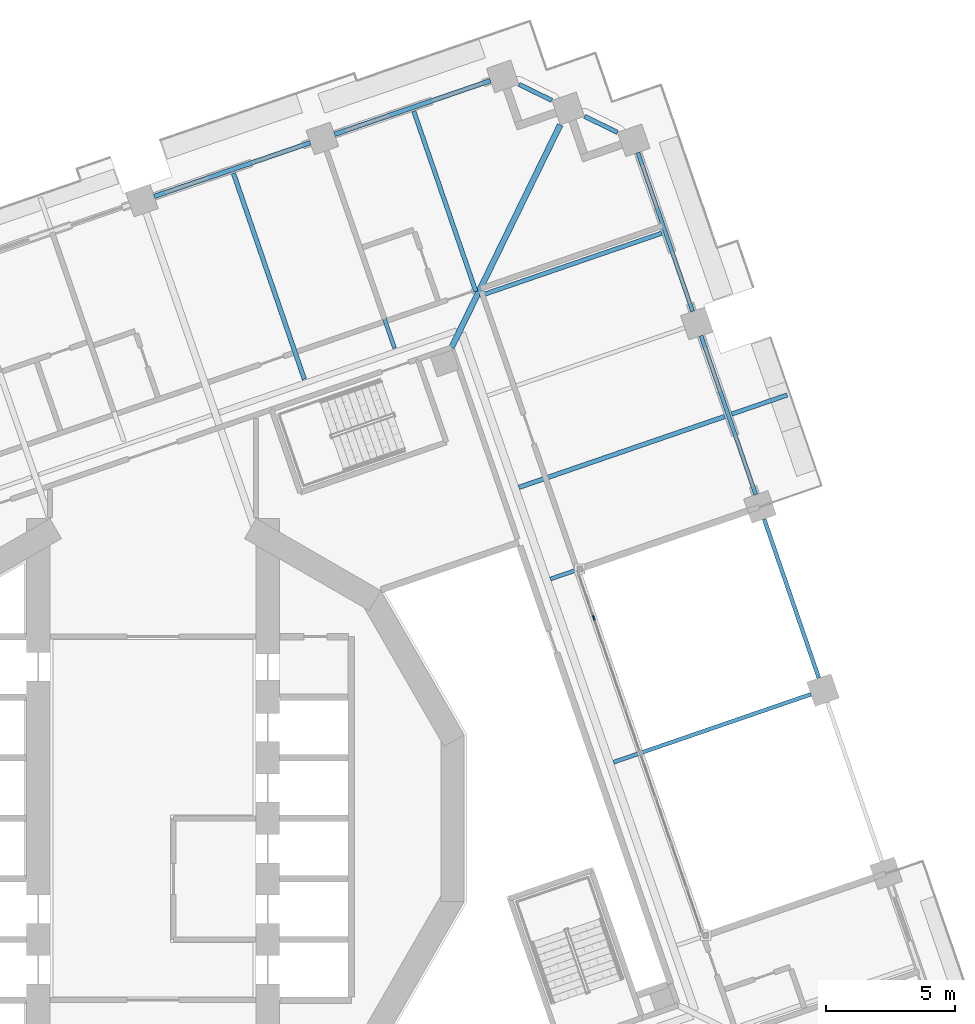
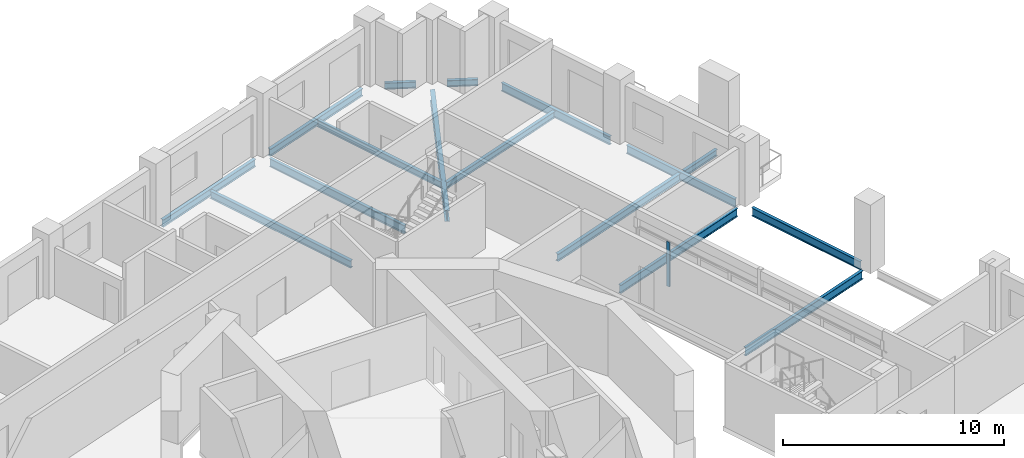
# One storey, part 5 of 22: 16 beams, 1 member, 1 element without a shape of its own.
"""IFC4 building model written with IfcOpenShell, lengths in metres."""

import ifcopenshell
import ifcopenshell.guid

model = None  # the IFC model being written
_history = None  # IfcOwnerHistory: only IFC2X3 demands one
_inside = {}  # id of a spatial element -> (the spatial element, [elements in it])
_under = {}  # id of a project, library or spatial element -> (it, [spatial elements below it])
_declared = {}  # id of a project -> (the project, [libraries it declares])
_typed = {}  # id of a type object -> (the type object, [elements of that type])
_made_of = {}  # id of a material, layer set ... -> (it, [elements and type objects made of it])


def new_model(schema):
    """Start an empty IFC model of exactly this schema.

    Asked for "IFC4X3", IfcOpenShell would pick the latest addendum, in which some entities
    have other attributes; the version numbers below select the first issue.
    IFC2X3 requires an IfcOwnerHistory on every rooted entity: one is made here for all.
    """
    global model, _history
    if schema == "IFC4X3":
        model = ifcopenshell.file(schema_version=(4, 3, 0, 0))
    else:
        model = ifcopenshell.file(schema=schema)
    _inside.clear()
    _under.clear()
    _declared.clear()
    _typed.clear()
    _made_of.clear()
    _history = None
    if model.schema == "IFC2X3":
        org = make("IfcOrganization", Name="unknown")
        user = make(
            "IfcPersonAndOrganization",
            ThePerson=make("IfcPerson", FamilyName="unknown"),
            TheOrganization=org,
        )
        app = make(
            "IfcApplication",
            ApplicationDeveloper=org,
            Version="unknown",
            ApplicationFullName="unknown",
            ApplicationIdentifier="unknown",
        )
        _history = make(
            "IfcOwnerHistory",
            OwningUser=user,
            OwningApplication=app,
            ChangeAction="ADDED",
            CreationDate=0,
        )
    return model


def make(cls, **values):
    """One entity of the class cls with the attributes given. An attribute that is None is left unset."""
    return model.create_entity(
        cls, **{name: value for name, value in values.items() if value is not None}
    )


def rooted(cls, **values):
    """An entity with a GlobalId (a new one), such as an element, a storey or a relation."""
    return make(cls, GlobalId=ifcopenshell.guid.new(), OwnerHistory=_history, **values)


def si_unit(unit_type, name, prefix=None):
    """IfcSIUnit, for example si_unit("LENGTHUNIT", "METRE", prefix="MILLI")."""
    return make("IfcSIUnit", UnitType=unit_type, Prefix=prefix, Name=name)


def assignment(units):
    """IfcUnitAssignment: the units of a project."""
    return None if units is None else make("IfcUnitAssignment", Units=units)


def point(xyz):
    """IfcCartesianPoint."""
    return None if xyz is None else make("IfcCartesianPoint", Coordinates=xyz)


def direction(xyz):
    """IfcDirection."""
    return None if xyz is None else make("IfcDirection", DirectionRatios=xyz)


def frame(location, z_axis=None, x_axis=None):
    """IfcAxis2Placement3D, a coordinate frame: its origin and axes. An axis left out is left unset."""
    return make(
        "IfcAxis2Placement3D",
        Location=point(location),
        Axis=direction(z_axis),
        RefDirection=direction(x_axis),
    )


def frame_2d(location, x_axis=None):
    """IfcAxis2Placement2D, a coordinate frame in the plane: its origin and x axis."""
    return make(
        "IfcAxis2Placement2D", Location=point(location), RefDirection=direction(x_axis)
    )


def origin():
    """The frame at (0, 0, 0) with its axes left unset."""
    return frame((0.0, 0.0, 0.0))


def origin_2d():
    """The frame at (0, 0) in the plane with its x axis left unset."""
    return frame_2d((0.0, 0.0))


def place(relative_to, where):
    """IfcLocalPlacement: puts the frame where relative to a parent placement (None: the world)."""
    return make(
        "IfcLocalPlacement", PlacementRelTo=relative_to, RelativePlacement=where
    )


def context(
    kind, dimensions, precision=None, world=None, true_north=None, identifier=None
):
    """IfcGeometricRepresentationContext, for example the 3D "Model" context."""
    return make(
        "IfcGeometricRepresentationContext",
        ContextIdentifier=identifier,
        ContextType=kind,
        CoordinateSpaceDimension=dimensions,
        Precision=precision,
        WorldCoordinateSystem=world,
        TrueNorth=true_north,
    )


def subcontext(parent, identifier, kind, view, scale=None):
    """IfcGeometricRepresentationSubContext, for example "Body" below "Model"."""
    return make(
        "IfcGeometricRepresentationSubContext",
        ContextIdentifier=identifier,
        ContextType=kind,
        ParentContext=parent,
        TargetScale=scale,
        TargetView=view,
    )


def project(units=None, contexts=None):
    """IfcProject with its units and contexts."""
    return rooted(
        "IfcProject",
        Name="project",
        RepresentationContexts=contexts,
        UnitsInContext=assignment(units),
    )


def spatial(cls, under=None, at=None, **own):
    """A site, building, storey or space (cls), placed at a placement, below another one or the project."""
    s = rooted(cls, ObjectPlacement=at, **own)
    if under is not None:
        _under.setdefault(under.id(), (under, []))[1].append(s)
    return s


def profile(cls, at=None, kind="AREA", **sizes):
    """A parametric profile (cls). Its sizes go by their IFC names, for example OverallWidth=200.0."""
    return make(cls, ProfileType=kind, Position=at, **sizes)


def rectangle(**sizes):
    """IfcRectangleProfileDef."""
    return profile("IfcRectangleProfileDef", **sizes)


def i_section(**sizes):
    """IfcIShapeProfileDef."""
    return profile("IfcIShapeProfileDef", **sizes)


def extrude(swept, where, along, depth):
    """IfcExtrudedAreaSolid: the profile swept, set in the frame where, extruded along a direction by depth."""
    return make(
        "IfcExtrudedAreaSolid",
        SweptArea=swept,
        Position=where,
        ExtrudedDirection=direction(along),
        Depth=depth,
    )


def shape(context_of_items, identifier, shape_type, items):
    """IfcShapeRepresentation: the items that make up one representation, for example the "Body"."""
    return make(
        "IfcShapeRepresentation",
        ContextOfItems=context_of_items,
        RepresentationIdentifier=identifier,
        RepresentationType=shape_type,
        Items=items,
    )


def material(Name=None, Category=None):
    """IfcMaterial."""
    return make("IfcMaterial", Name=Name, Category=Category)


def material_profile(
    of_material, cross_section, Name=None, Category=None, Priority=None
):
    """IfcMaterialProfile: a cross section and its material."""
    return make(
        "IfcMaterialProfile",
        Name=Name,
        Material=of_material,
        Profile=cross_section,
        Priority=Priority,
        Category=Category,
    )


def profile_set(profiles, Name=None, composite=None):
    """IfcMaterialProfileSet."""
    return make(
        "IfcMaterialProfileSet",
        Name=Name,
        MaterialProfiles=profiles,
        CompositeProfile=composite,
    )


def made_of(thing, what):
    """Note that an element or type object is made of a material, layer set ...; save() writes the relation."""
    if what is not None:
        _made_of.setdefault(what.id(), (what, []))[1].append(thing)
    return thing


def type_object(cls, material=None, **own):
    """A type object (cls), such as IfcWallType, which elements share."""
    return made_of(rooted(cls, **own), material)


def element(
    cls,
    number,
    at=None,
    inside=None,
    cuts=None,
    type_object=None,
    material=None,
    context=None,
    identifier="Body",
    shape_type=None,
    held_by="IfcProductDefinitionShape",
    body=None,
    shapes=None,
    **own,
):
    """One element of the class cls, such as IfcWall. Its Tag is "e" and its number.

    at: its placement. inside: the storey or other place that contains it. cuts: it is an
    opening in that element (IfcRelVoidsElement). A single representation is given by context,
    identifier, shape_type and body (its items); several are given by shapes. held_by: the class
    of the entity that holds the representations. save() writes the other relations.
    """
    e = rooted(cls, Tag="e%d" % number, ObjectPlacement=at, **own)
    if body is not None:
        shapes = [shape(context, identifier, shape_type, body)]
    if shapes is not None:
        e.Representation = make(held_by, Representations=shapes)
    if inside is not None:
        _inside.setdefault(inside.id(), (inside, []))[1].append(e)
    if cuts is not None:
        rooted(
            "IfcRelVoidsElement", RelatingBuildingElement=cuts, RelatedOpeningElement=e
        )
    if type_object is not None:
        _typed.setdefault(type_object.id(), (type_object, []))[1].append(e)
    return made_of(e, material)


def aggregate(whole, parts):
    """IfcRelAggregates: a whole, such as a stair, and the parts it consists of."""
    return rooted("IfcRelAggregates", RelatingObject=whole, RelatedObjects=parts)


def save(model, path):
    """Write the relations noted so far, then the file.

    IfcRelAggregates (storeys below a building ...), IfcRelContainedInSpatialStructure (elements
    in a storey), IfcRelDefinesByType, IfcRelAssociatesMaterial and IfcRelDeclares: one each for
    every whole, place, type object, material and project.
    """
    for whole, parts in _under.values():
        aggregate(whole, parts)
    for where, things in _inside.values():
        rooted(
            "IfcRelContainedInSpatialStructure",
            RelatedElements=things,
            RelatingStructure=where,
        )
    for kind, things in _typed.values():
        rooted("IfcRelDefinesByType", RelatedObjects=things, RelatingType=kind)
    for what, things in _made_of.values():
        rooted("IfcRelAssociatesMaterial", RelatedObjects=things, RelatingMaterial=what)
    for by, libraries in _declared.values():
        rooted("IfcRelDeclares", RelatingContext=by, RelatedDefinitions=libraries)
    model.write(path)


model = new_model("IFC4")

# Units and contexts
model_context = context("Model", 3, precision=1e-05, world=origin(), true_north=direction((0.0, 1.0)))
body_context = subcontext(model_context, "Body", "Model", "MODEL_VIEW")
ifc_project = project(units=[si_unit("LENGTHUNIT", "METRE"), si_unit("AREAUNIT", "SQUARE_METRE"), si_unit("VOLUMEUNIT", "CUBIC_METRE"), si_unit("PLANEANGLEUNIT", "RADIAN"), si_unit("MASSUNIT", "GRAM", prefix="KILO")], contexts=[model_context])

# Site, building, storey
site_placement = place(None, origin())
site = spatial("IfcSite", under=ifc_project, at=site_placement, CompositionType="ELEMENT")
building_placement = place(site_placement, origin())
building = spatial("IfcBuilding", under=site, at=building_placement, Name="Cantera Rosa Tower", CompositionType="ELEMENT")
storey_placement = place(building_placement, frame((0.0, 0.0, 115.5)))
storey = spatial("IfcBuildingStorey", under=building, at=storey_placement, Name="L23", CompositionType="ELEMENT", Elevation=115.5)

# Curtain wall, member
ifc_material_1 = material(Name="Aluminium frame with clear glass", Category="aluminium")
curtain_wall_type = type_object("IfcCurtainWallType", Name="CW1 TERRACE POCKET GLAZING", PredefinedType="NOTDEFINED", material=ifc_material_1)
curtain_wall_placement = place(storey_placement, origin())
curtain_wall = element("IfcCurtainWall", 1, at=curtain_wall_placement, inside=storey, type_object=curtain_wall_type, Name="CW1 CW1", PredefinedType="NOTDEFINED")
ifc_material_2 = material(Name="Anodised bronze aluminium", Category="aluminium")
ifc_material_profile_1 = material_profile(ifc_material_2, rectangle(XDim=0.06005859375, YDim=0.179931640625, at=origin_2d()), Name="CW-MULLION 60x180 POCKET")
ifc_profile_set_1 = profile_set([ifc_material_profile_1], Name="Anodised bronze aluminium")
member_type = type_object("IfcMemberType", Name="CW-MULLION 60x180 POCKET", PredefinedType="MULLION", material=ifc_profile_set_1)
member_placement = place(storey_placement, frame((17.099609375, 7.777099609375, 0.0), z_axis=(0.0, 0.0, 1.0), x_axis=(-0.945518575588, -0.32556815449, 0.0)))
member = element("IfcMember", 2, at=member_placement, type_object=member_type, Name="CW1 mullion 8", PredefinedType="MULLION", context=body_context, shape_type="SweptSolid", body=[
    extrude(rectangle(XDim=0.06005859375, YDim=0.179931640625, at=origin_2d()), origin(), (0.0, 0.0, 1.0), 2.47998046875),
])
aggregate(curtain_wall, [member])

# Beams
ifc_material_3 = material(Name="Steel ASTM A992 (Fy 345 MPa)", Category="steel")
ifc_material_profile_2 = material_profile(ifc_material_3, i_section(OverallWidth=0.154052734375, OverallDepth=0.4599609375, WebThickness=0.009033203125, FlangeThickness=0.015380859375, FilletRadius=0.01025390625, at=origin_2d()), Name="W460X68")
ifc_profile_set_2 = profile_set([ifc_material_profile_2], Name="Steel ASTM A992 (Fy 345 MPa)")
beam_type_1 = type_object("IfcBeamType", Name="STEEL BEAM W460X68", PredefinedType="BEAM", material=ifc_profile_set_2)
for number, where, z_axis, x_axis, name in (
    (3, (25.52392578125, 4.81201171875, -0.47998046875), (-0.945514467387, -0.325580085327, 0.0), (0.325580085327, -0.945514467387, 0.0), "G-Z2-02 L23"),
    (4, (23.07568359375, 11.92236328125, -0.47998046875), (-0.945514467387, -0.325580085327, 0.0), (0.325580085327, -0.945514467387, 0.0), "G-Z2-03 L23"),
    (5, (6.7333984375, 25.903564453125, -0.47998046875), (0.325580085327, -0.945514467387, 0.0), (0.945514467387, 0.325580085327, 0.0), "G-Z2-05 L23"),
):
    element("IfcBeam", number, at=place(storey_placement, frame(where, z_axis=z_axis, x_axis=x_axis)), inside=storey, type_object=beam_type_1, Name=name, PredefinedType="BEAM", context=body_context, shape_type="SweptSolid", body=[
        extrude(i_section(OverallWidth=0.154052734375, OverallDepth=0.4599609375, WebThickness=0.009033203125, FlangeThickness=0.015380859375, FilletRadius=0.01025390625, at=origin_2d()), origin(), (0.0, 0.0, 1.0), 8.10009765625),
    ])
ifc_material_4 = material(Name="Steel ASTM A992 (Fy 345 MPa)", Category="steel")
ifc_material_profile_3 = material_profile(ifc_material_4, i_section(OverallWidth=0.22802734375, OverallDepth=0.60205078125, WebThickness=0.010498046875, FlangeThickness=0.014892578125, FilletRadius=0.0126953125, at=origin_2d()), Name="W610X101")
ifc_profile_set_3 = profile_set([ifc_material_profile_3], Name="Steel ASTM A992 (Fy 345 MPa)")
beam_type_2 = type_object("IfcBeamType", Name="STEEL BEAM W610X101", PredefinedType="BEAM", material=ifc_profile_set_3)
beam_1_placement = place(storey_placement, frame((15.7998046875, 26.909912109375, -0.551025390625), z_axis=(-0.438387618569, -0.898786012288, 0.0), x_axis=(0.898786012288, -0.438387618569, 0.0)))
element("IfcBeam", 6, at=beam_1_placement, inside=storey, type_object=beam_type_2, Name="CB-Z2-01 L23", PredefinedType="BEAM", context=body_context, shape_type="SweptSolid", body=[
    extrude(i_section(OverallWidth=0.22802734375, OverallDepth=0.60205078125, WebThickness=0.010498046875, FlangeThickness=0.014892578125, FilletRadius=0.0126953125, at=origin_2d()), origin(), (0.0, 0.0, 1.0), 9.61669921875),
])
ifc_material_5 = material(Name="Steel ASTM A992 (Fy 345 MPa)", Category="steel")
ifc_material_profile_4 = material_profile(ifc_material_5, i_section(OverallWidth=0.1708984375, OverallDepth=0.35595703125, WebThickness=0.00732421875, FlangeThickness=0.01171875, FilletRadius=0.010009765625, at=origin_2d()), Name="W360X51")
ifc_profile_set_4 = profile_set([ifc_material_profile_4], Name="Steel ASTM A992 (Fy 345 MPa)")
beam_type_3 = type_object("IfcBeamType", Name="STEEL JOIST W360X51", PredefinedType="JOIST", material=ifc_profile_set_4)
beam_2_placement = place(storey_placement, frame((19.734130859375, 22.70166015625, -0.427978515625), z_axis=(-0.945518264054, -0.32556905925, 0.0), x_axis=(0.32556905925, -0.945518264054, 0.0)))
element("IfcBeam", 7, at=beam_2_placement, inside=storey, type_object=beam_type_3, Name="B-Z2-05 L23", PredefinedType="JOIST", context=body_context, shape_type="SweptSolid", body=[
    extrude(i_section(OverallWidth=0.1708984375, OverallDepth=0.35595703125, WebThickness=0.00732421875, FlangeThickness=0.01171875, FilletRadius=0.010009765625, at=origin_2d()), origin(), (0.0, 0.0, 1.0), 7.4599609375),
])
beam_3_placement = place(storey_placement, frame((10.117919921875, 27.43896484375, -0.427978515625), z_axis=(0.325565645331, -0.945519439557, 0.0), x_axis=(0.945519439557, 0.325565645331, 0.0)))
element("IfcBeam", 8, at=beam_3_placement, inside=storey, type_object=beam_type_3, Name="B-Z2-06 L23", PredefinedType="JOIST", context=body_context, shape_type="SweptSolid", body=[
    extrude(i_section(OverallWidth=0.1708984375, OverallDepth=0.35595703125, WebThickness=0.00732421875, FlangeThickness=0.01171875, FilletRadius=0.010009765625, at=origin_2d()), origin(), (0.0, 0.0, 1.0), 7.39990234375),
])
beam_4_placement = place(storey_placement, frame((22.447265625, 15.6826171875, -0.427978515625), z_axis=(0.945527339527, 0.325542701051, 0.0), x_axis=(-0.325542701051, 0.945527339527, 0.0)))
element("IfcBeam", 9, at=beam_4_placement, inside=storey, type_object=beam_type_3, Name="BS-Z2-08 L23", PredefinedType="JOIST", context=body_context, shape_type="SweptSolid", body=[
    extrude(i_section(OverallWidth=0.1708984375, OverallDepth=0.35595703125, WebThickness=0.00732421875, FlangeThickness=0.01171875, FilletRadius=0.010009765625, at=origin_2d()), origin(), (0.0, 0.0, 1.0), 2.284423828125),
])
ifc_material_6 = material(Name="Steel ASTM A992 (Fy 345 MPa)", Category="steel")
ifc_material_profile_5 = material_profile(ifc_material_6, i_section(OverallWidth=0.177978515625, OverallDepth=0.406005859375, WebThickness=0.0078125, FlangeThickness=0.0126953125, FilletRadius=0.01025390625, at=origin_2d()), Name="W410X60")
ifc_profile_set_5 = profile_set([ifc_material_profile_5], Name="Steel ASTM A992 (Fy 345 MPa)")
beam_type_4 = type_object("IfcBeamType", Name="STEEL JOIST W410X60", PredefinedType="JOIST", material=ifc_profile_set_5)
for number, where, z_axis, x_axis, name in (
    (10, (22.182373046875, 15.59130859375, -0.452880859375), (-0.945519653071, -0.325565025235, 0.0), (0.325565025235, -0.945519653071, 0.0), "B-Z2-04 L23"),
    (11, (3.12109375, 25.02978515625, -0.452880859375), (0.325565025235, -0.945519653071, 0.0), (0.945519653071, 0.325565025235, 0.0), "B-Z2-07 L23"),
):
    element("IfcBeam", number, at=place(storey_placement, frame(where, z_axis=z_axis, x_axis=x_axis)), inside=storey, type_object=beam_type_4, Name=name, PredefinedType="JOIST", context=body_context, shape_type="SweptSolid", body=[
        extrude(i_section(OverallWidth=0.177978515625, OverallDepth=0.406005859375, WebThickness=0.0078125, FlangeThickness=0.0126953125, FilletRadius=0.01025390625, at=origin_2d()), origin(), (0.0, 0.0, 1.0), 8.449951171875),
    ])
ifc_material_7 = material(Name="Steel ASTM A992 (Fy 345 MPa)", Category="steel")
ifc_material_profile_6 = material_profile(ifc_material_7, i_section(OverallWidth=0.1708984375, OverallDepth=0.35595703125, WebThickness=0.00732421875, FlangeThickness=0.01171875, FilletRadius=0.010009765625, at=origin_2d()), Name="W360X51")
ifc_profile_set_6 = profile_set([ifc_material_profile_6], Name="Steel ASTM A992 (Fy 345 MPa)")
beam_type_5 = type_object("IfcBeamType", Name="STEEL SPANDREL BEAM W360X51", PredefinedType="SPANDREL", material=ifc_profile_set_6)
for number, where, z_axis, x_axis, name in (
    (12, (18.016357421875, 26.61572265625, -0.427978515625), (-0.898803287583, 0.438352198842, 0.0), (-0.438352198842, -0.898803287583, 0.0), "EB-Z2-06 L23"),
    (13, (15.47412109375, 27.85546875, -0.427978515625), (-0.898803287583, 0.438352198842, 0.0), (-0.438352198842, -0.898803287583, 0.0), "EB-Z2-07 L23"),
):
    element("IfcBeam", number, at=place(storey_placement, frame(where, z_axis=z_axis, x_axis=x_axis)), inside=storey, type_object=beam_type_5, Name=name, PredefinedType="SPANDREL", context=body_context, shape_type="SweptSolid", body=[
        extrude(i_section(OverallWidth=0.1708984375, OverallDepth=0.35595703125, WebThickness=0.00732421875, FlangeThickness=0.01171875, FilletRadius=0.010009765625, at=origin_2d()), origin(), (0.0, 0.0, 1.0), 1.4140625),
    ])
ifc_material_8 = material(Name="Steel ASTM A992 (Fy 345 MPa)", Category="steel")
ifc_material_profile_7 = material_profile(ifc_material_8, i_section(OverallWidth=0.177978515625, OverallDepth=0.406005859375, WebThickness=0.0078125, FlangeThickness=0.0126953125, FilletRadius=0.01025390625, at=origin_2d()), Name="W410X60")
ifc_profile_set_7 = profile_set([ifc_material_profile_7], Name="Steel ASTM A992 (Fy 345 MPa)")
beam_type_6 = type_object("IfcBeamType", Name="STEEL SPANDREL BEAM W410X60", PredefinedType="SPANDREL", material=ifc_profile_set_7)
for number, where, z_axis, x_axis, name in (
    (14, (13.0947265625, 28.62255859375, -0.452880859375), (-0.945524496524, -0.325550958337, 0.0), (0.325550958337, -0.945524496524, 0.0), "EB-Z2-08 L23"),
    (15, (6.097900390625, 26.21337890625, -0.452880859375), (-0.945524496524, -0.325550958337, 0.0), (0.325550958337, -0.945524496524, 0.0), "EB-Z2-09 L23"),
):
    element("IfcBeam", number, at=place(storey_placement, frame(where, z_axis=z_axis, x_axis=x_axis)), inside=storey, type_object=beam_type_6, Name=name, PredefinedType="SPANDREL", context=body_context, shape_type="SweptSolid", body=[
        extrude(i_section(OverallWidth=0.177978515625, OverallDepth=0.406005859375, WebThickness=0.0078125, FlangeThickness=0.0126953125, FilletRadius=0.01025390625, at=origin_2d()), origin(), (0.0, 0.0, 1.0), 6.39990234375),
    ])
ifc_material_9 = material(Name="Steel ASTM A992 (Fy 345 MPa)", Category="steel")
ifc_material_profile_8 = material_profile(ifc_material_9, i_section(OverallWidth=0.154052734375, OverallDepth=0.4599609375, WebThickness=0.009033203125, FlangeThickness=0.015380859375, FilletRadius=0.01025390625, at=origin_2d()), Name="W460X68")
ifc_profile_set_8 = profile_set([ifc_material_profile_8], Name="Steel ASTM A992 (Fy 345 MPa)")
beam_type_7 = type_object("IfcBeamType", Name="STEEL SPANDREL BEAM W460X68", PredefinedType="SPANDREL", material=ifc_profile_set_8)
for number, where, z_axis, x_axis, name in (
    (16, (25.833984375, 5.447509765625, -0.47998046875), (-0.325580990241, 0.945514155787, 0.0), (-0.945514155787, -0.325580990241, 0.0), "EB-Z2-03 L23"),
    (17, (23.3857421875, 12.557861328125, -0.47998046875), (-0.325580990241, 0.945514155787, 0.0), (-0.945514155787, -0.325580990241, 0.0), "EB-Z2-04 L23"),
):
    element("IfcBeam", number, at=place(storey_placement, frame(where, z_axis=z_axis, x_axis=x_axis)), inside=storey, type_object=beam_type_7, Name=name, PredefinedType="SPANDREL", context=body_context, shape_type="SweptSolid", body=[
        extrude(i_section(OverallWidth=0.154052734375, OverallDepth=0.4599609375, WebThickness=0.009033203125, FlangeThickness=0.015380859375, FilletRadius=0.01025390625, at=origin_2d()), origin(), (0.0, 0.0, 1.0), 6.52001953125),
    ])
beam_5_placement = place(storey_placement, frame((20.9375, 19.668212890625, -0.47998046875), z_axis=(-0.325592517631, 0.945510186335, 0.0), x_axis=(-0.945510186335, -0.325592517631, 0.0)))
element("IfcBeam", 18, at=beam_5_placement, inside=storey, type_object=beam_type_7, Name="EB-Z2-05 L23", PredefinedType="SPANDREL", context=body_context, shape_type="SweptSolid", body=[
    extrude(i_section(OverallWidth=0.154052734375, OverallDepth=0.4599609375, WebThickness=0.009033203125, FlangeThickness=0.015380859375, FilletRadius=0.01025390625, at=origin_2d()), origin(), (0.0, 0.0, 1.0), 6.519775390625),
])

save(model, "model.ifc")
